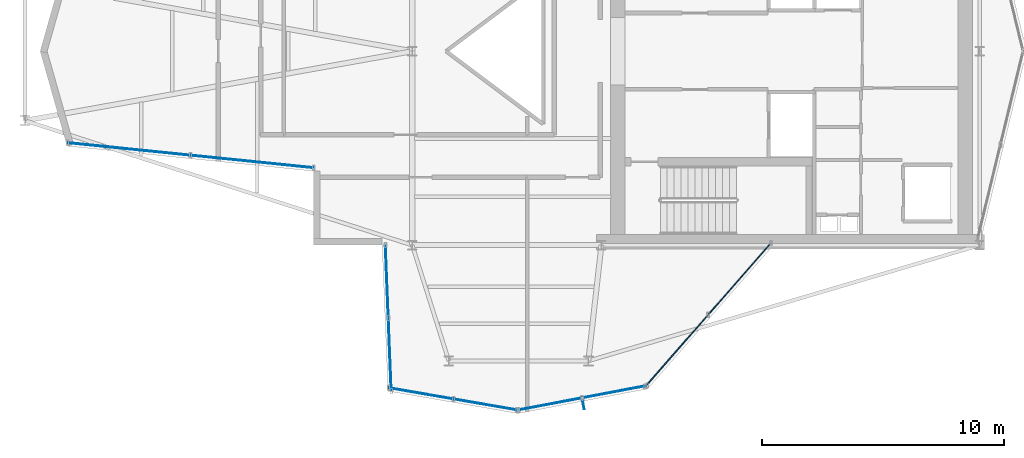
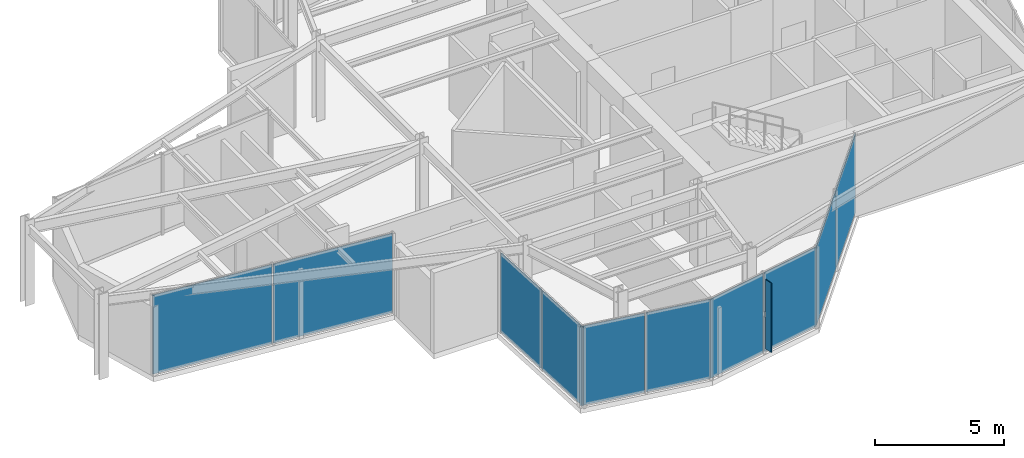
# One storey, part 9 of 15: 11 plates, 5 elements without a shape of their own.
"""IFC4 building model written with IfcOpenShell, lengths in metres."""

import ifcopenshell
import ifcopenshell.guid

model = None  # the IFC model being written
_history = None  # IfcOwnerHistory: only IFC2X3 demands one
_inside = {}  # id of a spatial element -> (the spatial element, [elements in it])
_under = {}  # id of a project, library or spatial element -> (it, [spatial elements below it])
_declared = {}  # id of a project -> (the project, [libraries it declares])
_typed = {}  # id of a type object -> (the type object, [elements of that type])
_made_of = {}  # id of a material, layer set ... -> (it, [elements and type objects made of it])


def new_model(schema):
    """Start an empty IFC model of exactly this schema.

    Asked for "IFC4X3", IfcOpenShell would pick the latest addendum, in which some entities
    have other attributes; the version numbers below select the first issue.
    IFC2X3 requires an IfcOwnerHistory on every rooted entity: one is made here for all.
    """
    global model, _history
    if schema == "IFC4X3":
        model = ifcopenshell.file(schema_version=(4, 3, 0, 0))
    else:
        model = ifcopenshell.file(schema=schema)
    _inside.clear()
    _under.clear()
    _declared.clear()
    _typed.clear()
    _made_of.clear()
    _history = None
    if model.schema == "IFC2X3":
        org = make("IfcOrganization", Name="unknown")
        user = make(
            "IfcPersonAndOrganization",
            ThePerson=make("IfcPerson", FamilyName="unknown"),
            TheOrganization=org,
        )
        app = make(
            "IfcApplication",
            ApplicationDeveloper=org,
            Version="unknown",
            ApplicationFullName="unknown",
            ApplicationIdentifier="unknown",
        )
        _history = make(
            "IfcOwnerHistory",
            OwningUser=user,
            OwningApplication=app,
            ChangeAction="ADDED",
            CreationDate=0,
        )
    return model


def make(cls, **values):
    """One entity of the class cls with the attributes given. An attribute that is None is left unset."""
    return model.create_entity(
        cls, **{name: value for name, value in values.items() if value is not None}
    )


def rooted(cls, **values):
    """An entity with a GlobalId (a new one), such as an element, a storey or a relation."""
    return make(cls, GlobalId=ifcopenshell.guid.new(), OwnerHistory=_history, **values)


def si_unit(unit_type, name, prefix=None):
    """IfcSIUnit, for example si_unit("LENGTHUNIT", "METRE", prefix="MILLI")."""
    return make("IfcSIUnit", UnitType=unit_type, Prefix=prefix, Name=name)


def assignment(units):
    """IfcUnitAssignment: the units of a project."""
    return None if units is None else make("IfcUnitAssignment", Units=units)


def point(xyz):
    """IfcCartesianPoint."""
    return None if xyz is None else make("IfcCartesianPoint", Coordinates=xyz)


def direction(xyz):
    """IfcDirection."""
    return None if xyz is None else make("IfcDirection", DirectionRatios=xyz)


def frame(location, z_axis=None, x_axis=None):
    """IfcAxis2Placement3D, a coordinate frame: its origin and axes. An axis left out is left unset."""
    return make(
        "IfcAxis2Placement3D",
        Location=point(location),
        Axis=direction(z_axis),
        RefDirection=direction(x_axis),
    )


def frame_2d(location, x_axis=None):
    """IfcAxis2Placement2D, a coordinate frame in the plane: its origin and x axis."""
    return make(
        "IfcAxis2Placement2D", Location=point(location), RefDirection=direction(x_axis)
    )


def origin():
    """The frame at (0, 0, 0) with its axes left unset."""
    return frame((0.0, 0.0, 0.0))


def origin_2d():
    """The frame at (0, 0) in the plane with its x axis left unset."""
    return frame_2d((0.0, 0.0))


def place(relative_to, where):
    """IfcLocalPlacement: puts the frame where relative to a parent placement (None: the world)."""
    return make(
        "IfcLocalPlacement", PlacementRelTo=relative_to, RelativePlacement=where
    )


def context(
    kind, dimensions, precision=None, world=None, true_north=None, identifier=None
):
    """IfcGeometricRepresentationContext, for example the 3D "Model" context."""
    return make(
        "IfcGeometricRepresentationContext",
        ContextIdentifier=identifier,
        ContextType=kind,
        CoordinateSpaceDimension=dimensions,
        Precision=precision,
        WorldCoordinateSystem=world,
        TrueNorth=true_north,
    )


def subcontext(parent, identifier, kind, view, scale=None):
    """IfcGeometricRepresentationSubContext, for example "Body" below "Model"."""
    return make(
        "IfcGeometricRepresentationSubContext",
        ContextIdentifier=identifier,
        ContextType=kind,
        ParentContext=parent,
        TargetScale=scale,
        TargetView=view,
    )


def project(units=None, contexts=None):
    """IfcProject with its units and contexts."""
    return rooted(
        "IfcProject",
        Name="project",
        RepresentationContexts=contexts,
        UnitsInContext=assignment(units),
    )


def spatial(cls, under=None, at=None, **own):
    """A site, building, storey or space (cls), placed at a placement, below another one or the project."""
    s = rooted(cls, ObjectPlacement=at, **own)
    if under is not None:
        _under.setdefault(under.id(), (under, []))[1].append(s)
    return s


def profile(cls, at=None, kind="AREA", **sizes):
    """A parametric profile (cls). Its sizes go by their IFC names, for example OverallWidth=200.0."""
    return make(cls, ProfileType=kind, Position=at, **sizes)


def rectangle(**sizes):
    """IfcRectangleProfileDef."""
    return profile("IfcRectangleProfileDef", **sizes)


def extrude(swept, where, along, depth):
    """IfcExtrudedAreaSolid: the profile swept, set in the frame where, extruded along a direction by depth."""
    return make(
        "IfcExtrudedAreaSolid",
        SweptArea=swept,
        Position=where,
        ExtrudedDirection=direction(along),
        Depth=depth,
    )


def shape(context_of_items, identifier, shape_type, items):
    """IfcShapeRepresentation: the items that make up one representation, for example the "Body"."""
    return make(
        "IfcShapeRepresentation",
        ContextOfItems=context_of_items,
        RepresentationIdentifier=identifier,
        RepresentationType=shape_type,
        Items=items,
    )


def material(Name=None, Category=None):
    """IfcMaterial."""
    return make("IfcMaterial", Name=Name, Category=Category)


def layer(
    of_material, thickness, ventilated=None, Name=None, Category=None, Priority=None
):
    """IfcMaterialLayer: one layer of a wall or slab, of a material (None: an air gap)."""
    return make(
        "IfcMaterialLayer",
        Material=of_material,
        LayerThickness=thickness,
        IsVentilated=ventilated,
        Name=Name,
        Category=Category,
        Priority=Priority,
    )


def layer_set(layers, Name=None):
    """IfcMaterialLayerSet."""
    return make("IfcMaterialLayerSet", MaterialLayers=layers, LayerSetName=Name)


def made_of(thing, what):
    """Note that an element or type object is made of a material, layer set ...; save() writes the relation."""
    if what is not None:
        _made_of.setdefault(what.id(), (what, []))[1].append(thing)
    return thing


def type_object(cls, material=None, **own):
    """A type object (cls), such as IfcWallType, which elements share."""
    return made_of(rooted(cls, **own), material)


def element(
    cls,
    number,
    at=None,
    inside=None,
    cuts=None,
    type_object=None,
    material=None,
    context=None,
    identifier="Body",
    shape_type=None,
    held_by="IfcProductDefinitionShape",
    body=None,
    shapes=None,
    **own,
):
    """One element of the class cls, such as IfcWall. Its Tag is "e" and its number.

    at: its placement. inside: the storey or other place that contains it. cuts: it is an
    opening in that element (IfcRelVoidsElement). A single representation is given by context,
    identifier, shape_type and body (its items); several are given by shapes. held_by: the class
    of the entity that holds the representations. save() writes the other relations.
    """
    e = rooted(cls, Tag="e%d" % number, ObjectPlacement=at, **own)
    if body is not None:
        shapes = [shape(context, identifier, shape_type, body)]
    if shapes is not None:
        e.Representation = make(held_by, Representations=shapes)
    if inside is not None:
        _inside.setdefault(inside.id(), (inside, []))[1].append(e)
    if cuts is not None:
        rooted(
            "IfcRelVoidsElement", RelatingBuildingElement=cuts, RelatedOpeningElement=e
        )
    if type_object is not None:
        _typed.setdefault(type_object.id(), (type_object, []))[1].append(e)
    return made_of(e, material)


def aggregate(whole, parts):
    """IfcRelAggregates: a whole, such as a stair, and the parts it consists of."""
    return rooted("IfcRelAggregates", RelatingObject=whole, RelatedObjects=parts)


def save(model, path):
    """Write the relations noted so far, then the file.

    IfcRelAggregates (storeys below a building ...), IfcRelContainedInSpatialStructure (elements
    in a storey), IfcRelDefinesByType, IfcRelAssociatesMaterial and IfcRelDeclares: one each for
    every whole, place, type object, material and project.
    """
    for whole, parts in _under.values():
        aggregate(whole, parts)
    for where, things in _inside.values():
        rooted(
            "IfcRelContainedInSpatialStructure",
            RelatedElements=things,
            RelatingStructure=where,
        )
    for kind, things in _typed.values():
        rooted("IfcRelDefinesByType", RelatedObjects=things, RelatingType=kind)
    for what, things in _made_of.values():
        rooted("IfcRelAssociatesMaterial", RelatedObjects=things, RelatingMaterial=what)
    for by, libraries in _declared.values():
        rooted("IfcRelDeclares", RelatingContext=by, RelatedDefinitions=libraries)
    model.write(path)


model = new_model("IFC4")

# Units and contexts
model_context = context("Model", 3, precision=1e-05, world=origin(), true_north=direction((0.0, 1.0)))
body_context = subcontext(model_context, "Body", "Model", "MODEL_VIEW")
ifc_project = project(units=[si_unit("LENGTHUNIT", "METRE"), si_unit("AREAUNIT", "SQUARE_METRE"), si_unit("VOLUMEUNIT", "CUBIC_METRE"), si_unit("PLANEANGLEUNIT", "RADIAN"), si_unit("MASSUNIT", "GRAM", prefix="KILO")], contexts=[model_context])

# Site, building, storey
site_placement = place(None, origin())
site = spatial("IfcSite", under=ifc_project, at=site_placement, CompositionType="ELEMENT")
building_placement = place(site_placement, origin())
building = spatial("IfcBuilding", under=site, at=building_placement, Name="Veymaron Broadcast Tower", CompositionType="ELEMENT")
storey_placement = place(building_placement, frame((0.0, 0.0, 266.85009765625)))
storey = spatial("IfcBuildingStorey", under=building, at=storey_placement, Name="L62", CompositionType="ELEMENT", Elevation=266.85009765625)

# Curtain wall, plates
ifc_material_1 = material(Name="Anodised aluminium AA 6063-T6 and laminated low-E dark glass", Category="aluminium")
ifc_layer_1 = layer(ifc_material_1, 0.179931640625)
ifc_layer_set_1 = layer_set([ifc_layer_1], Name="Anodised aluminium AA 6063-T6 and laminated low-E dark glass")
curtain_wall_type = type_object("IfcCurtainWallType", Name="CW-SYS-06", PredefinedType="NOTDEFINED", material=ifc_layer_set_1)
curtain_wall_1_placement = place(storey_placement, origin())
curtain_wall_1 = element("IfcCurtainWall", 1, at=curtain_wall_1_placement, inside=storey, type_object=curtain_wall_type, Name="L62 dark-glass curtain wall CW-L62-E14-1", PredefinedType="NOTDEFINED")
ifc_material_2 = material(Name="Insulated dark-anodised aluminium spandrel panel 40 mm", Category="aluminium")
ifc_layer_2 = layer(ifc_material_2, 0.0400390625)
ifc_layer_set_2 = layer_set([ifc_layer_2], Name="Insulated dark-anodised aluminium spandrel panel 40 mm")
plate_type_1 = type_object("IfcPlateType", Name="CW-PNL-03", PredefinedType="CURTAIN_PANEL", material=ifc_layer_set_2)
plate_1_placement = place(storey_placement, frame((19.5146484375, 19.96533203125, 0.039794921875), z_axis=(0.0, 0.0, 1.0), x_axis=(0.994870120783, -0.101160480293, 0.0)))
plate_1 = element("IfcPlate", 2, at=plate_1_placement, type_object=plate_type_1, Name="CW-L62-E14-1 unitised curtain panel 0", PredefinedType="CURTAIN_PANEL", context=body_context, shape_type="SweptSolid", body=[
    extrude(rectangle(XDim=5.047119140625, YDim=0.0400390625, at=origin_2d()), origin(), (0.0, 0.0, 1.0), 3.72998046875),
])
plate_2_placement = place(storey_placement, frame((24.595458984375, 19.44873046875, 0.039794921875), z_axis=(0.0, 0.0, 1.0), x_axis=(0.994870120783, -0.101160480293, 0.0)))
plate_2 = element("IfcPlate", 3, at=plate_2_placement, type_object=plate_type_1, Name="CW-L62-E14-1 unitised curtain panel 1", PredefinedType="CURTAIN_PANEL", context=body_context, shape_type="SweptSolid", body=[
    extrude(rectangle(XDim=5.047119140625, YDim=0.0400390625, at=origin_2d()), origin(), (0.0, 0.0, 1.0), 3.72998046875),
])
aggregate(curtain_wall_1, [plate_1, plate_2])

curtain_wall_2_placement = place(storey_placement, origin())
curtain_wall_2 = element("IfcCurtainWall", 4, at=curtain_wall_2_placement, inside=storey, type_object=curtain_wall_type, Name="L62 dark-glass curtain wall CW-L62-E17-1", PredefinedType="NOTDEFINED")
plate_3_placement = place(storey_placement, frame((30.15380859375, 14.500244140625, 0.039794921875), z_axis=(0.0, 0.0, 1.0), x_axis=(0.04004459622, -0.999197893469, 0.0)))
plate_3 = element("IfcPlate", 5, at=plate_3_placement, type_object=plate_type_1, Name="CW-L62-E17-1 unitised curtain panel 0", PredefinedType="CURTAIN_PANEL", context=body_context, shape_type="SweptSolid", body=[
    extrude(rectangle(XDim=2.952880859375, YDim=0.0400390625, at=origin_2d()), origin(), (0.0, 0.0, 1.0), 3.72998046875),
])
plate_4_placement = place(storey_placement, frame((30.274658203125, 11.48974609375, 0.039794921875), z_axis=(0.0, 0.0, 1.0), x_axis=(0.04004459622, -0.999197893469, 0.0)))
plate_4 = element("IfcPlate", 6, at=plate_4_placement, type_object=plate_type_1, Name="CW-L62-E17-1 unitised curtain panel 1", PredefinedType="CURTAIN_PANEL", context=body_context, shape_type="SweptSolid", body=[
    extrude(rectangle(XDim=2.952880859375, YDim=0.0400390625, at=origin_2d()), origin(), (0.0, 0.0, 1.0), 3.72998046875),
])
aggregate(curtain_wall_2, [plate_3, plate_4])

curtain_wall_3_placement = place(storey_placement, origin())
curtain_wall_3 = element("IfcCurtainWall", 7, at=curtain_wall_3_placement, inside=storey, type_object=curtain_wall_type, Name="L62 dark-glass curtain wall CW-L62-E18-1", PredefinedType="NOTDEFINED")
plate_5_placement = place(storey_placement, frame((31.558349609375, 9.8857421875, 0.039794921875), z_axis=(0.0, 0.0, 1.0), x_axis=(0.98545539152, -0.169934314736, 0.0)))
plate_5 = element("IfcPlate", 8, at=plate_5_placement, type_object=plate_type_1, Name="CW-L62-E18-1 unitised curtain panel 0", PredefinedType="CURTAIN_PANEL", context=body_context, shape_type="SweptSolid", body=[
    extrude(rectangle(XDim=2.65869140625, YDim=0.0400390625, at=origin_2d()), origin(), (0.0, 0.0, 1.0), 3.72998046875),
])
plate_6_placement = place(storey_placement, frame((34.237548828125, 9.423828125, 0.039794921875), z_axis=(0.0, 0.0, 1.0), x_axis=(0.98545539152, -0.169934314736, 0.0)))
plate_6 = element("IfcPlate", 9, at=plate_6_placement, type_object=plate_type_1, Name="CW-L62-E18-1 unitised curtain panel 1", PredefinedType="CURTAIN_PANEL", context=body_context, shape_type="SweptSolid", body=[
    extrude(rectangle(XDim=2.65869140625, YDim=0.0400390625, at=origin_2d()), origin(), (0.0, 0.0, 1.0), 3.72998046875),
])
aggregate(curtain_wall_3, [plate_5, plate_6])

curtain_wall_4_placement = place(storey_placement, origin())
curtain_wall_4 = element("IfcCurtainWall", 10, at=curtain_wall_4_placement, inside=storey, type_object=curtain_wall_type, Name="L62 dark-glass curtain wall CW-L62-E19-1", PredefinedType="NOTDEFINED")
plate_7_placement = place(storey_placement, frame((36.86669921875, 9.4462890625, 0.039794921875), z_axis=(0.0, 0.0, 1.0), x_axis=(0.982479684732, 0.186369710761, 0.0)))
plate_7 = element("IfcPlate", 11, at=plate_7_placement, type_object=plate_type_1, Name="CW-L62-E19-1 unitised curtain panel 0", PredefinedType="CURTAIN_PANEL", context=body_context, shape_type="SweptSolid", body=[
    extrude(rectangle(XDim=2.6669921875, YDim=0.0400390625, at=origin_2d()), origin(), (0.0, 0.0, 1.0), 3.72998046875),
])
plate_8_placement = place(storey_placement, frame((39.545654296875, 9.95458984375, 0.039794921875), z_axis=(0.0, 0.0, 1.0), x_axis=(0.982479684732, 0.186369710761, 0.0)))
plate_8 = element("IfcPlate", 12, at=plate_8_placement, type_object=plate_type_1, Name="CW-L62-E19-1 unitised curtain panel 1", PredefinedType="CURTAIN_PANEL", context=body_context, shape_type="SweptSolid", body=[
    extrude(rectangle(XDim=2.6669921875, YDim=0.0400390625, at=origin_2d()), origin(), (0.0, 0.0, 1.0), 3.72998046875),
])
aggregate(curtain_wall_4, [plate_7, plate_8])

curtain_wall_5_placement = place(storey_placement, origin())
curtain_wall_5 = element("IfcCurtainWall", 13, at=curtain_wall_5_placement, inside=storey, type_object=curtain_wall_type, Name="L62 dark-glass curtain wall CW-L62-E20-1", PredefinedType="NOTDEFINED")
plate_9_placement = place(storey_placement, frame((42.10302734375, 11.6455078125, 0.039794921875), z_axis=(0.0, 0.0, 1.0), x_axis=(0.658558128912, 0.752529860433, 0.0)))
plate_9 = element("IfcPlate", 14, at=plate_9_placement, type_object=plate_type_1, Name="CW-L62-E20-1 unitised curtain panel 0", PredefinedType="CURTAIN_PANEL", context=body_context, shape_type="SweptSolid", body=[
    extrude(rectangle(XDim=3.87939453125, YDim=0.0400390625, at=origin_2d()), origin(), (0.0, 0.0, 1.0), 3.72998046875),
])
plate_10_placement = place(storey_placement, frame((44.697509765625, 14.610107421875, 0.039794921875), z_axis=(0.0, 0.0, 1.0), x_axis=(0.658558128912, 0.752529860433, 0.0)))
plate_10 = element("IfcPlate", 15, at=plate_10_placement, type_object=plate_type_1, Name="CW-L62-E20-1 unitised curtain panel 1", PredefinedType="CURTAIN_PANEL", context=body_context, shape_type="SweptSolid", body=[
    extrude(rectangle(XDim=3.87939453125, YDim=0.0400390625, at=origin_2d()), origin(), (0.0, 0.0, 1.0), 3.72998046875),
])
aggregate(curtain_wall_5, [plate_9, plate_10])

# Plate
ifc_material_3 = material(Name="Dark-anodised aluminium AA 6061-T6", Category="aluminium")
ifc_layer_3 = layer(ifc_material_3, 0.030029296875)
ifc_layer_set_3 = layer_set([ifc_layer_3], Name="Dark-anodised aluminium AA 6061-T6")
plate_type_2 = type_object("IfcPlateType", Name="FIN-CHEV-02", PredefinedType="USERDEFINED", material=ifc_layer_set_3)
plate_11_placement = place(storey_placement, frame((38.262939453125, 9.40087890625, 0.2666015625), z_axis=(0.0, 0.0, 1.0), x_axis=(0.186369710761, -0.982479684732, 0.0)))
element("IfcPlate", 16, at=plate_11_placement, inside=storey, type_object=plate_type_2, Name="CW-L62-E19-1 chevron fin 1", ObjectType="FIN", PredefinedType="USERDEFINED", context=body_context, shape_type="SweptSolid", body=[
    extrude(rectangle(XDim=0.35009765625, YDim=0.034912109375, at=origin_2d()), origin(), (0.0, 0.0, 1.0), 3.276611328125),
])

save(model, "model.ifc")
